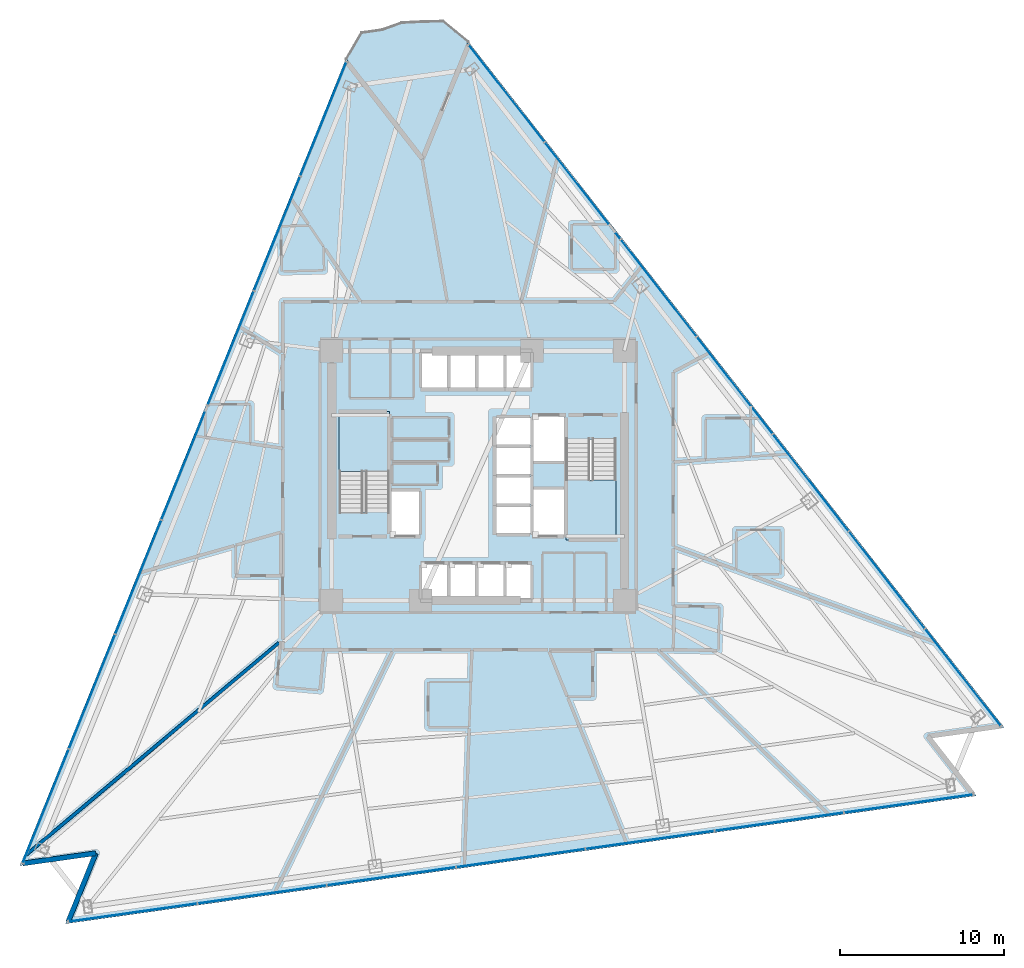
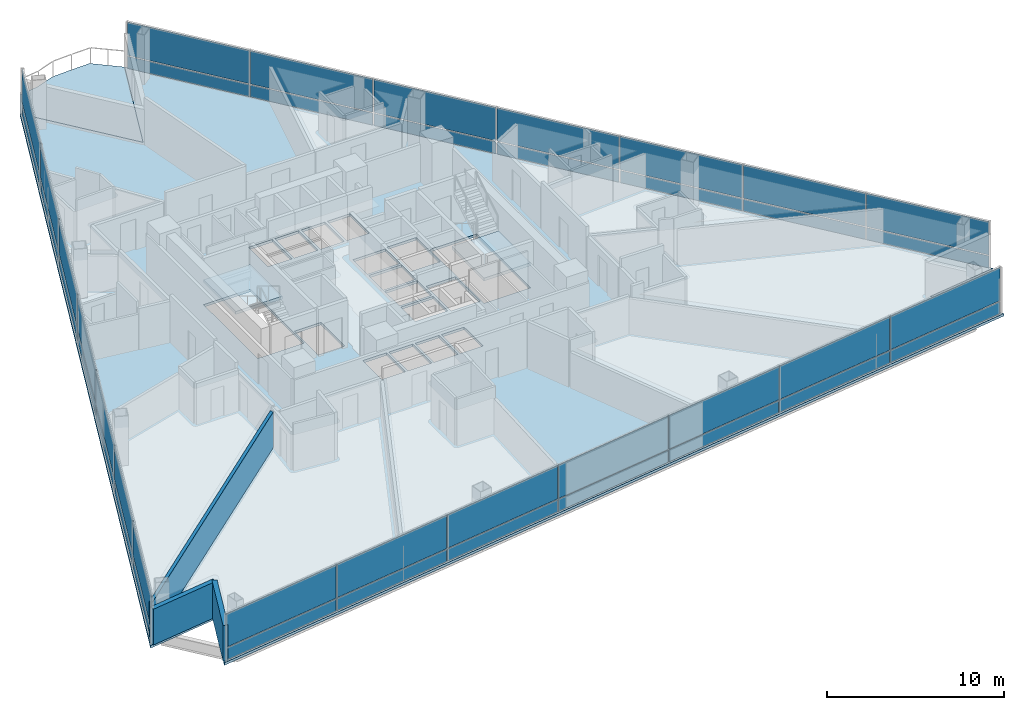
# One storey, part 6 of 16: 42 plates, 4 slabs, 3 walls, 5 elements without a shape of their own.
"""IFC4 building model written with IfcOpenShell, lengths in metres."""

from ifc_helpers import new_model, si_unit, direction, frame, frame_2d, origin, origin_2d, place, context, subcontext, project, spatial, polyline, rectangle, outline, extrude, material, layer, layer_set, type_object, element, aggregate, save


model = new_model("IFC4")

# Units and contexts
model_context = context("Model", 3, precision=1e-05, world=origin(), true_north=direction((0.0, 1.0)))
body_context = subcontext(model_context, "Body", "Model", "MODEL_VIEW")
ifc_project = project(units=[si_unit("LENGTHUNIT", "METRE"), si_unit("AREAUNIT", "SQUARE_METRE"), si_unit("VOLUMEUNIT", "CUBIC_METRE"), si_unit("PLANEANGLEUNIT", "RADIAN"), si_unit("MASSUNIT", "GRAM", prefix="KILO")], contexts=[model_context])

# Site, building, storey
site_placement = place(None, origin())
site = spatial("IfcSite", under=ifc_project, at=site_placement, CompositionType="ELEMENT")
building_placement = place(site_placement, origin())
building = spatial("IfcBuilding", under=site, at=building_placement, Name="Tharavind Bronze Gate", CompositionType="ELEMENT")
storey_placement = place(building_placement, frame((0.0, 0.0, 70.75)))
storey = spatial("IfcBuildingStorey", under=building, at=storey_placement, Name="L17", CompositionType="ELEMENT", Elevation=70.75)

# Curtain wall, plates
ifc_material_1 = material(Name="Anodised Bronze Aluminium", Category="aluminium")
ifc_layer_1 = layer(ifc_material_1, 0.219970703125)
ifc_layer_set_1 = layer_set([ifc_layer_1], Name="Anodised Bronze Aluminium")
curtain_wall_type = type_object("IfcCurtainWallType", Name="UNITISED CURTAIN WALL HOTEL", PredefinedType="USERDEFINED", material=ifc_layer_set_1)
curtain_wall_1_placement = place(storey_placement, origin())
curtain_wall_1 = element("IfcCurtainWall", 1, at=curtain_wall_1_placement, inside=storey, type_object=curtain_wall_type, Name="L17 unitised curtain wall hotel CW-L17-S1", ObjectType="UNITISED CURTAIN WALL", PredefinedType="USERDEFINED")
ifc_material_2 = material(Name="Patinated Bronze Alloy Sheet", Category="bronze")
ifc_layer_2 = layer(ifc_material_2, 0.01611328125)
ifc_layer_set_2 = layer_set([ifc_layer_2], Name="Patinated Bronze Alloy Sheet")
plate_type_1 = type_object("IfcPlateType", Name="BRONZE SPANDREL CLADDING PANEL 16", PredefinedType="CURTAIN_PANEL", material=ifc_layer_set_2)
plate_1_placement = place(storey_placement, frame((-9.408203125, 21.69921875, 0.033935546875), z_axis=(0.0, 0.0, 1.0), x_axis=(-0.374606593416, -0.927183854567, 0.0)))
plate_1 = element("IfcPlate", 2, at=plate_1_placement, type_object=plate_type_1, Name="CW-L17-S1 bronze spandrel panel 1", PredefinedType="CURTAIN_PANEL", context=body_context, shape_type="SweptSolid", body=[
    extrude(rectangle(XDim=7.447021484375, YDim=0.01611328125, at=origin_2d()), origin(), (0.0, 0.0, 1.0), 0.83203125),
])
plate_2_placement = place(storey_placement, frame((-12.223388671875, 14.731201171875, 0.033935546875), z_axis=(0.0, 0.0, 1.0), x_axis=(-0.374606593416, -0.927183854567, 0.0)))
plate_2 = element("IfcPlate", 3, at=plate_2_placement, type_object=plate_type_1, Name="CW-L17-S1 bronze spandrel panel 2", PredefinedType="CURTAIN_PANEL", context=body_context, shape_type="SweptSolid", body=[
    extrude(rectangle(XDim=7.447021484375, YDim=0.01611328125, at=origin_2d()), origin(), (0.0, 0.0, 1.0), 0.83203125),
])
plate_3_placement = place(storey_placement, frame((-15.038818359375, 7.763427734375, 0.033935546875), z_axis=(0.0, 0.0, 1.0), x_axis=(-0.374606593416, -0.927183854567, 0.0)))
plate_3 = element("IfcPlate", 4, at=plate_3_placement, type_object=plate_type_1, Name="CW-L17-S1 bronze spandrel panel 3", PredefinedType="CURTAIN_PANEL", context=body_context, shape_type="SweptSolid", body=[
    extrude(rectangle(XDim=7.447021484375, YDim=0.01611328125, at=origin_2d()), origin(), (0.0, 0.0, 1.0), 0.83203125),
])
plate_4_placement = place(storey_placement, frame((-17.85400390625, 0.795654296875, 0.033935546875), z_axis=(0.0, 0.0, 1.0), x_axis=(-0.374606593416, -0.927183854567, 0.0)))
plate_4 = element("IfcPlate", 5, at=plate_4_placement, type_object=plate_type_1, Name="CW-L17-S1 bronze spandrel panel 4", PredefinedType="CURTAIN_PANEL", context=body_context, shape_type="SweptSolid", body=[
    extrude(rectangle(XDim=7.447021484375, YDim=0.01611328125, at=origin_2d()), origin(), (0.0, 0.0, 1.0), 0.83203125),
])
plate_5_placement = place(storey_placement, frame((-20.669189453125, -6.17236328125, 0.033935546875), z_axis=(0.0, 0.0, 1.0), x_axis=(-0.374606593416, -0.927183854567, 0.0)))
plate_5 = element("IfcPlate", 6, at=plate_5_placement, type_object=plate_type_1, Name="CW-L17-S1 bronze spandrel panel 5", PredefinedType="CURTAIN_PANEL", context=body_context, shape_type="SweptSolid", body=[
    extrude(rectangle(XDim=7.447021484375, YDim=0.01611328125, at=origin_2d()), origin(), (0.0, 0.0, 1.0), 0.83203125),
])
plate_6_placement = place(storey_placement, frame((-23.484375, -13.14013671875, 0.033935546875), z_axis=(0.0, 0.0, 1.0), x_axis=(-0.374606593416, -0.927183854567, 0.0)))
plate_6 = element("IfcPlate", 7, at=plate_6_placement, type_object=plate_type_1, Name="CW-L17-S1 bronze spandrel panel 6", PredefinedType="CURTAIN_PANEL", context=body_context, shape_type="SweptSolid", body=[
    extrude(rectangle(XDim=7.447021484375, YDim=0.01611328125, at=origin_2d()), origin(), (0.0, 0.0, 1.0), 0.83203125),
])
plate_7_placement = place(storey_placement, frame((-26.299560546875, -20.10791015625, 0.033935546875), z_axis=(0.0, 0.0, 1.0), x_axis=(-0.374606593416, -0.927183854567, 0.0)))
plate_7 = element("IfcPlate", 8, at=plate_7_placement, type_object=plate_type_1, Name="CW-L17-S1 bronze spandrel panel 7", PredefinedType="CURTAIN_PANEL", context=body_context, shape_type="SweptSolid", body=[
    extrude(rectangle(XDim=7.447021484375, YDim=0.01611328125, at=origin_2d()), origin(), (0.0, 0.0, 1.0), 0.83203125),
])

curtain_wall_2_placement = place(storey_placement, origin())
curtain_wall_2 = element("IfcCurtainWall", 9, at=curtain_wall_2_placement, inside=storey, type_object=curtain_wall_type, Name="L17 unitised curtain wall hotel CW-L17-S2", ObjectType="UNITISED CURTAIN WALL", PredefinedType="USERDEFINED")
plate_8_placement = place(storey_placement, frame((-21.00341796875, -26.585205078125, 0.033935546875), z_axis=(0.0, 0.0, 1.0), x_axis=(0.990268068742, 0.13917310096, 0.0)))
plate_8 = element("IfcPlate", 10, at=plate_8_placement, type_object=plate_type_1, Name="CW-L17-S2 bronze spandrel panel 1", PredefinedType="CURTAIN_PANEL", context=body_context, shape_type="SweptSolid", body=[
    extrude(rectangle(XDim=7.87548828125, YDim=0.01611328125, at=origin_2d()), origin(), (0.0, 0.0, 1.0), 0.83203125),
])
plate_9_placement = place(storey_placement, frame((-13.13720703125, -25.4794921875, 0.033935546875), z_axis=(0.0, 0.0, 1.0), x_axis=(0.990268068742, 0.13917310096, 0.0)))
plate_9 = element("IfcPlate", 11, at=plate_9_placement, type_object=plate_type_1, Name="CW-L17-S2 bronze spandrel panel 2", PredefinedType="CURTAIN_PANEL", context=body_context, shape_type="SweptSolid", body=[
    extrude(rectangle(XDim=7.87548828125, YDim=0.01611328125, at=origin_2d()), origin(), (0.0, 0.0, 1.0), 0.83203125),
])
plate_10_placement = place(storey_placement, frame((-5.270751953125, -24.3740234375, 0.033935546875), z_axis=(0.0, 0.0, 1.0), x_axis=(0.990268068742, 0.13917310096, 0.0)))
plate_10 = element("IfcPlate", 12, at=plate_10_placement, type_object=plate_type_1, Name="CW-L17-S2 bronze spandrel panel 3", PredefinedType="CURTAIN_PANEL", context=body_context, shape_type="SweptSolid", body=[
    extrude(rectangle(XDim=7.87548828125, YDim=0.01611328125, at=origin_2d()), origin(), (0.0, 0.0, 1.0), 0.83203125),
])
plate_11_placement = place(storey_placement, frame((2.595703125, -23.2685546875, 0.033935546875), z_axis=(0.0, 0.0, 1.0), x_axis=(0.990268068742, 0.13917310096, 0.0)))
plate_11 = element("IfcPlate", 13, at=plate_11_placement, type_object=plate_type_1, Name="CW-L17-S2 bronze spandrel panel 4", PredefinedType="CURTAIN_PANEL", context=body_context, shape_type="SweptSolid", body=[
    extrude(rectangle(XDim=7.87548828125, YDim=0.01611328125, at=origin_2d()), origin(), (0.0, 0.0, 1.0), 0.83203125),
])
plate_12_placement = place(storey_placement, frame((10.4619140625, -22.1630859375, 0.033935546875), z_axis=(0.0, 0.0, 1.0), x_axis=(0.990268068742, 0.13917310096, 0.0)))
plate_12 = element("IfcPlate", 14, at=plate_12_placement, type_object=plate_type_1, Name="CW-L17-S2 bronze spandrel panel 5", PredefinedType="CURTAIN_PANEL", context=body_context, shape_type="SweptSolid", body=[
    extrude(rectangle(XDim=7.87548828125, YDim=0.01611328125, at=origin_2d()), origin(), (0.0, 0.0, 1.0), 0.83203125),
])
plate_13_placement = place(storey_placement, frame((18.328369140625, -21.057373046875, 0.033935546875), z_axis=(0.0, 0.0, 1.0), x_axis=(0.990268068742, 0.13917310096, 0.0)))
plate_13 = element("IfcPlate", 15, at=plate_13_placement, type_object=plate_type_1, Name="CW-L17-S2 bronze spandrel panel 6", PredefinedType="CURTAIN_PANEL", context=body_context, shape_type="SweptSolid", body=[
    extrude(rectangle(XDim=7.87548828125, YDim=0.01611328125, at=origin_2d()), origin(), (0.0, 0.0, 1.0), 0.83203125),
])
plate_14_placement = place(storey_placement, frame((26.194580078125, -19.951904296875, 0.033935546875), z_axis=(0.0, 0.0, 1.0), x_axis=(0.990268068742, 0.13917310096, 0.0)))
plate_14 = element("IfcPlate", 16, at=plate_14_placement, type_object=plate_type_1, Name="CW-L17-S2 bronze spandrel panel 7", PredefinedType="CURTAIN_PANEL", context=body_context, shape_type="SweptSolid", body=[
    extrude(rectangle(XDim=7.87548828125, YDim=0.01611328125, at=origin_2d()), origin(), (0.0, 0.0, 1.0), 0.83203125),
])

curtain_wall_3_placement = place(storey_placement, origin())
curtain_wall_3 = element("IfcCurtainWall", 17, at=curtain_wall_3_placement, inside=storey, type_object=curtain_wall_type, Name="L17 unitised curtain wall hotel CW-L17-S3", ObjectType="UNITISED CURTAIN WALL", PredefinedType="USERDEFINED")
plate_15_placement = place(storey_placement, frame((29.5, -12.265869140625, 0.033935546875), z_axis=(0.0, 0.0, 1.0), x_axis=(-0.615661475326, 0.788010753607, 0.0)))
plate_15 = element("IfcPlate", 18, at=plate_15_placement, type_object=plate_type_1, Name="CW-L17-S3 bronze spandrel panel 1", PredefinedType="CURTAIN_PANEL", context=body_context, shape_type="SweptSolid", body=[
    extrude(rectangle(XDim=7.447021484375, YDim=0.01611328125, at=origin_2d()), origin(), (0.0, 0.0, 1.0), 0.83203125),
])
plate_16_placement = place(storey_placement, frame((24.873291015625, -6.343994140625, 0.033935546875), z_axis=(0.0, 0.0, 1.0), x_axis=(-0.615661475326, 0.788010753607, 0.0)))
plate_16 = element("IfcPlate", 19, at=plate_16_placement, type_object=plate_type_1, Name="CW-L17-S3 bronze spandrel panel 2", PredefinedType="CURTAIN_PANEL", context=body_context, shape_type="SweptSolid", body=[
    extrude(rectangle(XDim=7.447021484375, YDim=0.01611328125, at=origin_2d()), origin(), (0.0, 0.0, 1.0), 0.83203125),
])
plate_17_placement = place(storey_placement, frame((20.24658203125, -0.421875, 0.033935546875), z_axis=(0.0, 0.0, 1.0), x_axis=(-0.615661475326, 0.788010753607, 0.0)))
plate_17 = element("IfcPlate", 20, at=plate_17_placement, type_object=plate_type_1, Name="CW-L17-S3 bronze spandrel panel 3", PredefinedType="CURTAIN_PANEL", context=body_context, shape_type="SweptSolid", body=[
    extrude(rectangle(XDim=7.447021484375, YDim=0.01611328125, at=origin_2d()), origin(), (0.0, 0.0, 1.0), 0.83203125),
])
plate_18_placement = place(storey_placement, frame((15.619873046875, 5.5, 0.033935546875), z_axis=(0.0, 0.0, 1.0), x_axis=(-0.615661475326, 0.788010753607, 0.0)))
plate_18 = element("IfcPlate", 21, at=plate_18_placement, type_object=plate_type_1, Name="CW-L17-S3 bronze spandrel panel 4", PredefinedType="CURTAIN_PANEL", context=body_context, shape_type="SweptSolid", body=[
    extrude(rectangle(XDim=7.447021484375, YDim=0.01611328125, at=origin_2d()), origin(), (0.0, 0.0, 1.0), 0.83203125),
])
plate_19_placement = place(storey_placement, frame((10.9931640625, 11.422119140625, 0.033935546875), z_axis=(0.0, 0.0, 1.0), x_axis=(-0.615661475326, 0.788010753607, 0.0)))
plate_19 = element("IfcPlate", 22, at=plate_19_placement, type_object=plate_type_1, Name="CW-L17-S3 bronze spandrel panel 5", PredefinedType="CURTAIN_PANEL", context=body_context, shape_type="SweptSolid", body=[
    extrude(rectangle(XDim=7.447021484375, YDim=0.01611328125, at=origin_2d()), origin(), (0.0, 0.0, 1.0), 0.83203125),
])
plate_20_placement = place(storey_placement, frame((6.366455078125, 17.343994140625, 0.033935546875), z_axis=(0.0, 0.0, 1.0), x_axis=(-0.615661475326, 0.788010753607, 0.0)))
plate_20 = element("IfcPlate", 23, at=plate_20_placement, type_object=plate_type_1, Name="CW-L17-S3 bronze spandrel panel 6", PredefinedType="CURTAIN_PANEL", context=body_context, shape_type="SweptSolid", body=[
    extrude(rectangle(XDim=7.447021484375, YDim=0.01611328125, at=origin_2d()), origin(), (0.0, 0.0, 1.0), 0.83203125),
])
plate_21_placement = place(storey_placement, frame((1.73974609375, 23.265869140625, 0.033935546875), z_axis=(0.0, 0.0, 1.0), x_axis=(-0.615661475326, 0.788010753607, 0.0)))
plate_21 = element("IfcPlate", 24, at=plate_21_placement, type_object=plate_type_1, Name="CW-L17-S3 bronze spandrel panel 7", PredefinedType="CURTAIN_PANEL", context=body_context, shape_type="SweptSolid", body=[
    extrude(rectangle(XDim=7.447021484375, YDim=0.01611328125, at=origin_2d()), origin(), (0.0, 0.0, 1.0), 0.83203125),
])

# Plate
ifc_material_3 = material(Name="Low-E Double Glazing", Category="glass")
ifc_layer_3 = layer(ifc_material_3, 0.031982421875)
ifc_layer_set_3 = layer_set([ifc_layer_3], Name="Low-E Double Glazing")
plate_type_2 = type_object("IfcPlateType", Name="DOUBLE GLAZED FACADE PANEL 32", PredefinedType="CURTAIN_PANEL", material=ifc_layer_set_3)
plate_22_placement = place(storey_placement, frame((-9.408203125, 21.69921875, 0.93408203125), z_axis=(0.0, 0.0, 1.0), x_axis=(-0.374606593416, -0.927183854567, 0.0)))
plate_22 = element("IfcPlate", 25, at=plate_22_placement, type_object=plate_type_2, Name="CW-L17-S1 vision glazing panel 1", PredefinedType="CURTAIN_PANEL", context=body_context, shape_type="SweptSolid", body=[
    extrude(rectangle(XDim=7.447021484375, YDim=0.031982421875, at=origin_2d()), origin(), (0.0, 0.0, 1.0), 2.306884765625),
])

plate_23_placement = place(storey_placement, frame((-12.223388671875, 14.731201171875, 0.93408203125), z_axis=(0.0, 0.0, 1.0), x_axis=(-0.374606593416, -0.927183854567, 0.0)))
plate_23 = element("IfcPlate", 26, at=plate_23_placement, type_object=plate_type_2, Name="CW-L17-S1 vision glazing panel 2", PredefinedType="CURTAIN_PANEL", context=body_context, shape_type="SweptSolid", body=[
    extrude(rectangle(XDim=7.447021484375, YDim=0.031982421875, at=origin_2d()), origin(), (0.0, 0.0, 1.0), 2.306884765625),
])

plate_24_placement = place(storey_placement, frame((-15.038818359375, 7.763427734375, 0.93408203125), z_axis=(0.0, 0.0, 1.0), x_axis=(-0.374606593416, -0.927183854567, 0.0)))
plate_24 = element("IfcPlate", 27, at=plate_24_placement, type_object=plate_type_2, Name="CW-L17-S1 vision glazing panel 3", PredefinedType="CURTAIN_PANEL", context=body_context, shape_type="SweptSolid", body=[
    extrude(rectangle(XDim=7.447021484375, YDim=0.031982421875, at=origin_2d()), origin(), (0.0, 0.0, 1.0), 2.306884765625),
])

plate_25_placement = place(storey_placement, frame((-17.85400390625, 0.795654296875, 0.93408203125), z_axis=(0.0, 0.0, 1.0), x_axis=(-0.374606593416, -0.927183854567, 0.0)))
plate_25 = element("IfcPlate", 28, at=plate_25_placement, type_object=plate_type_2, Name="CW-L17-S1 vision glazing panel 4", PredefinedType="CURTAIN_PANEL", context=body_context, shape_type="SweptSolid", body=[
    extrude(rectangle(XDim=7.447021484375, YDim=0.031982421875, at=origin_2d()), origin(), (0.0, 0.0, 1.0), 2.306884765625),
])

plate_26_placement = place(storey_placement, frame((-20.669189453125, -6.17236328125, 0.93408203125), z_axis=(0.0, 0.0, 1.0), x_axis=(-0.374606593416, -0.927183854567, 0.0)))
plate_26 = element("IfcPlate", 29, at=plate_26_placement, type_object=plate_type_2, Name="CW-L17-S1 vision glazing panel 5", PredefinedType="CURTAIN_PANEL", context=body_context, shape_type="SweptSolid", body=[
    extrude(rectangle(XDim=7.447021484375, YDim=0.031982421875, at=origin_2d()), origin(), (0.0, 0.0, 1.0), 2.306884765625),
])

plate_27_placement = place(storey_placement, frame((-23.484375, -13.14013671875, 0.93408203125), z_axis=(0.0, 0.0, 1.0), x_axis=(-0.374606593416, -0.927183854567, 0.0)))
plate_27 = element("IfcPlate", 30, at=plate_27_placement, type_object=plate_type_2, Name="CW-L17-S1 vision glazing panel 6", PredefinedType="CURTAIN_PANEL", context=body_context, shape_type="SweptSolid", body=[
    extrude(rectangle(XDim=7.447021484375, YDim=0.031982421875, at=origin_2d()), origin(), (0.0, 0.0, 1.0), 2.306884765625),
])

plate_28_placement = place(storey_placement, frame((-26.299560546875, -20.10791015625, 0.93408203125), z_axis=(0.0, 0.0, 1.0), x_axis=(-0.374606593416, -0.927183854567, 0.0)))
plate_28 = element("IfcPlate", 31, at=plate_28_placement, type_object=plate_type_2, Name="CW-L17-S1 vision glazing panel 7", PredefinedType="CURTAIN_PANEL", context=body_context, shape_type="SweptSolid", body=[
    extrude(rectangle(XDim=7.447021484375, YDim=0.031982421875, at=origin_2d()), origin(), (0.0, 0.0, 1.0), 2.306884765625),
])

aggregate(curtain_wall_1, [plate_1, plate_22, plate_2, plate_23, plate_3, plate_24, plate_4, plate_25, plate_5, plate_26, plate_6, plate_27, plate_7, plate_28])

plate_29_placement = place(storey_placement, frame((-21.00341796875, -26.585205078125, 0.93408203125), z_axis=(0.0, 0.0, 1.0), x_axis=(0.990268068742, 0.13917310096, 0.0)))
plate_29 = element("IfcPlate", 32, at=plate_29_placement, type_object=plate_type_2, Name="CW-L17-S2 vision glazing panel 1", PredefinedType="CURTAIN_PANEL", context=body_context, shape_type="SweptSolid", body=[
    extrude(rectangle(XDim=7.87548828125, YDim=0.031982421875, at=origin_2d()), origin(), (0.0, 0.0, 1.0), 2.306884765625),
])

plate_30_placement = place(storey_placement, frame((-13.13720703125, -25.4794921875, 0.93408203125), z_axis=(0.0, 0.0, 1.0), x_axis=(0.990268068742, 0.13917310096, 0.0)))
plate_30 = element("IfcPlate", 33, at=plate_30_placement, type_object=plate_type_2, Name="CW-L17-S2 vision glazing panel 2", PredefinedType="CURTAIN_PANEL", context=body_context, shape_type="SweptSolid", body=[
    extrude(rectangle(XDim=7.87548828125, YDim=0.031982421875, at=origin_2d()), origin(), (0.0, 0.0, 1.0), 2.306884765625),
])

plate_31_placement = place(storey_placement, frame((-5.270751953125, -24.3740234375, 0.93408203125), z_axis=(0.0, 0.0, 1.0), x_axis=(0.990268068742, 0.13917310096, 0.0)))
plate_31 = element("IfcPlate", 34, at=plate_31_placement, type_object=plate_type_2, Name="CW-L17-S2 vision glazing panel 3", PredefinedType="CURTAIN_PANEL", context=body_context, shape_type="SweptSolid", body=[
    extrude(rectangle(XDim=7.87548828125, YDim=0.031982421875, at=origin_2d()), origin(), (0.0, 0.0, 1.0), 2.306884765625),
])

plate_32_placement = place(storey_placement, frame((2.595703125, -23.2685546875, 0.93408203125), z_axis=(0.0, 0.0, 1.0), x_axis=(0.990268068742, 0.13917310096, 0.0)))
plate_32 = element("IfcPlate", 35, at=plate_32_placement, type_object=plate_type_2, Name="CW-L17-S2 vision glazing panel 4", PredefinedType="CURTAIN_PANEL", context=body_context, shape_type="SweptSolid", body=[
    extrude(rectangle(XDim=7.87548828125, YDim=0.031982421875, at=origin_2d()), origin(), (0.0, 0.0, 1.0), 2.306884765625),
])

plate_33_placement = place(storey_placement, frame((10.4619140625, -22.1630859375, 0.93408203125), z_axis=(0.0, 0.0, 1.0), x_axis=(0.990268068742, 0.13917310096, 0.0)))
plate_33 = element("IfcPlate", 36, at=plate_33_placement, type_object=plate_type_2, Name="CW-L17-S2 vision glazing panel 5", PredefinedType="CURTAIN_PANEL", context=body_context, shape_type="SweptSolid", body=[
    extrude(rectangle(XDim=7.87548828125, YDim=0.031982421875, at=origin_2d()), origin(), (0.0, 0.0, 1.0), 2.306884765625),
])

plate_34_placement = place(storey_placement, frame((18.328369140625, -21.057373046875, 0.93408203125), z_axis=(0.0, 0.0, 1.0), x_axis=(0.990268068742, 0.13917310096, 0.0)))
plate_34 = element("IfcPlate", 37, at=plate_34_placement, type_object=plate_type_2, Name="CW-L17-S2 vision glazing panel 6", PredefinedType="CURTAIN_PANEL", context=body_context, shape_type="SweptSolid", body=[
    extrude(rectangle(XDim=7.87548828125, YDim=0.031982421875, at=origin_2d()), origin(), (0.0, 0.0, 1.0), 2.306884765625),
])

plate_35_placement = place(storey_placement, frame((26.194580078125, -19.951904296875, 0.93408203125), z_axis=(0.0, 0.0, 1.0), x_axis=(0.990268068742, 0.13917310096, 0.0)))
plate_35 = element("IfcPlate", 38, at=plate_35_placement, type_object=plate_type_2, Name="CW-L17-S2 vision glazing panel 7", PredefinedType="CURTAIN_PANEL", context=body_context, shape_type="SweptSolid", body=[
    extrude(rectangle(XDim=7.87548828125, YDim=0.031982421875, at=origin_2d()), origin(), (0.0, 0.0, 1.0), 2.306884765625),
])

aggregate(curtain_wall_2, [plate_8, plate_29, plate_9, plate_30, plate_10, plate_31, plate_11, plate_32, plate_12, plate_33, plate_13, plate_34, plate_14, plate_35])

plate_36_placement = place(storey_placement, frame((29.5, -12.265869140625, 0.93408203125), z_axis=(0.0, 0.0, 1.0), x_axis=(-0.615661475326, 0.788010753607, 0.0)))
plate_36 = element("IfcPlate", 39, at=plate_36_placement, type_object=plate_type_2, Name="CW-L17-S3 vision glazing panel 1", PredefinedType="CURTAIN_PANEL", context=body_context, shape_type="SweptSolid", body=[
    extrude(rectangle(XDim=7.447021484375, YDim=0.031982421875, at=origin_2d()), origin(), (0.0, 0.0, 1.0), 2.306884765625),
])

plate_37_placement = place(storey_placement, frame((24.873291015625, -6.343994140625, 0.93408203125), z_axis=(0.0, 0.0, 1.0), x_axis=(-0.615661475326, 0.788010753607, 0.0)))
plate_37 = element("IfcPlate", 40, at=plate_37_placement, type_object=plate_type_2, Name="CW-L17-S3 vision glazing panel 2", PredefinedType="CURTAIN_PANEL", context=body_context, shape_type="SweptSolid", body=[
    extrude(rectangle(XDim=7.447021484375, YDim=0.031982421875, at=origin_2d()), origin(), (0.0, 0.0, 1.0), 2.306884765625),
])

plate_38_placement = place(storey_placement, frame((20.24658203125, -0.421875, 0.93408203125), z_axis=(0.0, 0.0, 1.0), x_axis=(-0.615661475326, 0.788010753607, 0.0)))
plate_38 = element("IfcPlate", 41, at=plate_38_placement, type_object=plate_type_2, Name="CW-L17-S3 vision glazing panel 3", PredefinedType="CURTAIN_PANEL", context=body_context, shape_type="SweptSolid", body=[
    extrude(rectangle(XDim=7.447021484375, YDim=0.031982421875, at=origin_2d()), origin(), (0.0, 0.0, 1.0), 2.306884765625),
])

plate_39_placement = place(storey_placement, frame((15.619873046875, 5.5, 0.93408203125), z_axis=(0.0, 0.0, 1.0), x_axis=(-0.615661475326, 0.788010753607, 0.0)))
plate_39 = element("IfcPlate", 42, at=plate_39_placement, type_object=plate_type_2, Name="CW-L17-S3 vision glazing panel 4", PredefinedType="CURTAIN_PANEL", context=body_context, shape_type="SweptSolid", body=[
    extrude(rectangle(XDim=7.447021484375, YDim=0.031982421875, at=origin_2d()), origin(), (0.0, 0.0, 1.0), 2.306884765625),
])

plate_40_placement = place(storey_placement, frame((10.9931640625, 11.422119140625, 0.93408203125), z_axis=(0.0, 0.0, 1.0), x_axis=(-0.615661475326, 0.788010753607, 0.0)))
plate_40 = element("IfcPlate", 43, at=plate_40_placement, type_object=plate_type_2, Name="CW-L17-S3 vision glazing panel 5", PredefinedType="CURTAIN_PANEL", context=body_context, shape_type="SweptSolid", body=[
    extrude(rectangle(XDim=7.447021484375, YDim=0.031982421875, at=origin_2d()), origin(), (0.0, 0.0, 1.0), 2.306884765625),
])

plate_41_placement = place(storey_placement, frame((6.366455078125, 17.343994140625, 0.93408203125), z_axis=(0.0, 0.0, 1.0), x_axis=(-0.615661475326, 0.788010753607, 0.0)))
plate_41 = element("IfcPlate", 44, at=plate_41_placement, type_object=plate_type_2, Name="CW-L17-S3 vision glazing panel 6", PredefinedType="CURTAIN_PANEL", context=body_context, shape_type="SweptSolid", body=[
    extrude(rectangle(XDim=7.447021484375, YDim=0.031982421875, at=origin_2d()), origin(), (0.0, 0.0, 1.0), 2.306884765625),
])

plate_42_placement = place(storey_placement, frame((1.73974609375, 23.265869140625, 0.93408203125), z_axis=(0.0, 0.0, 1.0), x_axis=(-0.615661475326, 0.788010753607, 0.0)))
plate_42 = element("IfcPlate", 45, at=plate_42_placement, type_object=plate_type_2, Name="CW-L17-S3 vision glazing panel 7", PredefinedType="CURTAIN_PANEL", context=body_context, shape_type="SweptSolid", body=[
    extrude(rectangle(XDim=7.447021484375, YDim=0.031982421875, at=origin_2d()), origin(), (0.0, 0.0, 1.0), 2.306884765625),
])

aggregate(curtain_wall_3, [plate_15, plate_36, plate_16, plate_37, plate_17, plate_38, plate_18, plate_39, plate_19, plate_40, plate_20, plate_41, plate_21, plate_42])

# Slab
ifc_material_4 = material(Name="Concrete C40/50", Category="concrete")
ifc_layer_4 = layer(ifc_material_4, 0.175048828125)
ifc_layer_set_4 = layer_set([ifc_layer_4], Name="Concrete C40/50")
slab_type_1 = type_object("IfcSlabType", Name="EXTERIOR BALCONY SLAB 175", PredefinedType="FLOOR", material=ifc_layer_set_4)
slab_1_placement = place(storey_placement, frame((0.0, 0.0, -0.175048828125)))
element("IfcSlab", 46, at=slab_1_placement, inside=storey, type_object=slab_type_1, Name="L17 northeast tree balcony slab", PredefinedType="FLOOR", context=body_context, shape_type="SweptSolid", body=[
    extrude(outline(polyline([(-2.13671875, 27.72412109375), (-3.39501953125, 27.6962890625), (-4.648681640625, 27.6337890625), (-5.85009765625, 27.2021484375), (-7.088134765625, 27.028076171875), (-8.028564453125, 25.381103515625), (-3.4111328125, 19.47119140625), (-0.6015625, 26.425048828125), (-2.13671875, 27.72412109375)])), origin(), (0.0, 0.0, 1.0), 0.175048828125),
])

# Stair, slab
stair_type = type_object("IfcStairType", Name="CORE HALF TURN STAIR 1450", PredefinedType="HALF_TURN_STAIR", material=ifc_material_4)
stair_1_placement = place(storey_placement, origin())
stair_1 = element("IfcStair", 47, at=stair_1_placement, inside=storey, type_object=stair_type, Name="L17 Protected Exit Stair ST1", PredefinedType="HALF_TURN_STAIR")
ifc_layer_5 = layer(ifc_material_4, 0.199951171875)
ifc_layer_set_5 = layer_set([ifc_layer_5], Name="Concrete C40/50")
slab_type_2 = type_object("IfcSlabType", Name="STAIR LANDING SLAB 200", PredefinedType="LANDING", material=ifc_layer_set_5)
slab_2_placement = place(storey_placement, frame((0.0, 0.0, 1.52490234375)))
slab_2 = element("IfcSlab", 48, at=slab_2_placement, type_object=slab_type_2, Name="ST1 landing 1", PredefinedType="LANDING", context=body_context, shape_type="SweptSolid", body=[
    extrude(outline(polyline([(-5.39990234375, 0.27001953125), (-5.39990234375, 3.89990234375), (-8.449951171875, 3.89990234375), (-8.449951171875, 0.27001953125), (-5.39990234375, 0.27001953125)])), origin(), (0.0, 0.0, 1.0), 0.2001953125),
])
aggregate(stair_1, [slab_2])

stair_2_placement = place(storey_placement, origin())
stair_2 = element("IfcStair", 49, at=stair_2_placement, inside=storey, type_object=stair_type, Name="L17 Protected Exit Stair ST2", PredefinedType="HALF_TURN_STAIR")
slab_3_placement = place(storey_placement, frame((0.0, 0.0, 1.52490234375)))
slab_3 = element("IfcSlab", 50, at=slab_3_placement, type_object=slab_type_2, Name="ST2 landing 1", PredefinedType="LANDING", context=body_context, shape_type="SweptSolid", body=[
    extrude(outline(polyline([(5.35009765625, -0.27001953125), (5.35009765625, -3.89990234375), (8.39990234375, -3.89990234375), (8.39990234375, -0.27001953125), (5.35009765625, -0.27001953125)])), origin(), (0.0, 0.0, 1.0), 0.2001953125),
])
aggregate(stair_2, [slab_3])

# Slab
ifc_layer_6 = layer(ifc_material_4, 0.175048828125)
ifc_layer_set_6 = layer_set([ifc_layer_6], Name="Concrete C40/50")
slab_type_3 = type_object("IfcSlabType", Name="STRUCTURAL FLOOR SLAB 175", PredefinedType="FLOOR", material=ifc_layer_set_6)
slab_4_placement = place(storey_placement, frame((0.0, 0.0, -0.175048828125)))
element("IfcSlab", 51, at=slab_4_placement, inside=storey, type_object=slab_type_3, Name="L17 main structural floor slab", PredefinedType="FLOOR", context=body_context, shape_type="SweptSolid", body=[
    extrude(outline(polyline([(-0.6015625, 26.425048828125), (-3.4111328125, 19.47119140625), (-8.028564453125, 25.381103515625), (-27.86474609375, -23.715087890625), (-23.408447265625, -23.088623046875), (-25.09423828125, -27.260986328125), (30.313232421875, -19.47412109375), (27.542724609375, -15.927978515625), (31.998779296875, -15.3017578125), (-0.6015625, 26.425048828125)]), holes=[polyline([(-5.39990234375, -2.215087890625), (-5.39990234375, 3.89990234375), (-8.449951171875, 3.89990234375), (-8.449951171875, -2.215087890625), (-5.39990234375, -2.215087890625)]), polyline([(5.35009765625, 2.215087890625), (5.35009765625, -3.89990234375), (8.39990234375, -3.89990234375), (8.39990234375, 2.215087890625), (5.35009765625, 2.215087890625)]), polyline([(-3.419921875, -7.52001953125), (-1.867431640625, -7.52001953125), (-1.867431640625, -5.3798828125), (-3.419921875, -5.3798828125), (-3.419921875, -7.52001953125)]), polyline([(-1.70751953125, -7.52001953125), (-0.155029296875, -7.52001953125), (-0.155029296875, -5.3798828125), (-1.70751953125, -5.3798828125), (-1.70751953125, -7.52001953125)]), polyline([(0.0048828125, -7.52001953125), (1.5576171875, -7.52001953125), (1.5576171875, -5.3798828125), (0.0048828125, -5.3798828125), (0.0048828125, -7.52001953125)]), polyline([(1.717529296875, -7.52001953125), (3.199951171875, -7.52001953125), (3.199951171875, -5.3798828125), (1.717529296875, -5.3798828125), (1.717529296875, -7.52001953125)]), polyline([(-3.419921875, 5.330078125), (-1.867431640625, 5.330078125), (-1.867431640625, 7.52001953125), (-3.419921875, 7.52001953125), (-3.419921875, 5.330078125)]), polyline([(-1.70751953125, 5.330078125), (-0.155029296875, 5.330078125), (-0.155029296875, 7.52001953125), (-1.70751953125, 7.52001953125), (-1.70751953125, 5.330078125)]), polyline([(0.0048828125, 5.330078125), (1.5576171875, 5.330078125), (1.5576171875, 7.52001953125), (0.0048828125, 7.52001953125), (0.0048828125, 5.330078125)]), polyline([(1.717529296875, 5.330078125), (3.199951171875, 5.330078125), (3.199951171875, 7.52001953125), (1.717529296875, 7.52001953125), (1.717529296875, 5.330078125)]), polyline([(1.080078125, -3.52001953125), (3.199951171875, -3.52001953125), (3.199951171875, -1.8798828125), (1.080078125, -1.8798828125), (1.080078125, -3.52001953125)]), polyline([(1.080078125, -1.719970703125), (3.199951171875, -1.719970703125), (3.199951171875, -0.080078125), (1.080078125, -0.080078125), (1.080078125, -1.719970703125)]), polyline([(1.080078125, 0.080078125), (3.199951171875, 0.080078125), (3.199951171875, 1.719970703125), (1.080078125, 1.719970703125), (1.080078125, 0.080078125)]), polyline([(1.080078125, 1.8798828125), (3.199951171875, 1.8798828125), (3.199951171875, 3.52001953125), (1.080078125, 3.52001953125), (1.080078125, 1.8798828125)]), polyline([(-5.320068359375, -3.6201171875), (-3.580078125, -3.6201171875), (-3.580078125, -0.929931640625), (-5.320068359375, -0.929931640625), (-5.320068359375, -3.6201171875)]), polyline([(3.360107421875, 0.8798828125), (5.27001953125, 0.8798828125), (5.27001953125, 3.6201171875), (3.360107421875, 3.6201171875), (3.360107421875, 0.8798828125)]), polyline([(3.360107421875, -3.6201171875), (5.27001953125, -3.6201171875), (5.27001953125, -0.830078125), (3.360107421875, -0.830078125), (3.360107421875, -3.6201171875)])]), origin(), (0.0, 0.0, 1.0), 0.175048828125),
])

# Walls
ifc_layer_7 = layer(ifc_material_4, 0.300048828125)
ifc_layer_set_7 = layer_set([ifc_layer_7], Name="Concrete C40/50")
wall_type_1 = type_object("IfcWallType", Name="EXTERIOR SPANDREL WALL 300", PredefinedType="STANDARD", material=ifc_layer_set_7)
wall_1_placement = place(storey_placement, frame((-27.70703125, -23.591796875, 0.0), z_axis=(0.0, 0.0, 1.0), x_axis=(0.990269200152, 0.139165050317, 0.0)))
element("IfcWall", 52, at=wall_1_placement, inside=storey, type_object=wall_type_1, Name="L17 notch cheek wall 2A", PredefinedType="STANDARD", context=body_context, shape_type="SweptSolid", body=[
    extrude(rectangle(XDim=4.499755859375, YDim=0.300048828125, at=frame_2d((2.25, 0.0))), origin(), (0.0, 0.0, 1.0), 2.469970703125),
])
wall_2_placement = place(storey_placement, frame((-23.2509765625, -22.965576171875, 0.0), z_axis=(0.0, 0.0, 1.0), x_axis=(-0.374568898324, -0.927199083481, 0.0)))
element("IfcWall", 53, at=wall_2_placement, inside=storey, type_object=wall_type_1, Name="L17 notch cheek wall 2B", PredefinedType="STANDARD", context=body_context, shape_type="SweptSolid", body=[
    extrude(rectangle(XDim=4.5, YDim=0.300048828125, at=frame_2d((2.25, 0.0))), origin(), (0.0, 0.0, 1.0), 2.469970703125),
])
ifc_material_5 = material(Name="Aerated Concrete Block", Category="concrete")
ifc_layer_8 = layer(ifc_material_5, 0.199951171875)
ifc_layer_set_8 = layer_set([ifc_layer_8], Name="Aerated Concrete Block")
wall_type_2 = type_object("IfcWallType", Name="FIRE RATED PARTITION 200", PredefinedType="PARTITIONING", material=ifc_layer_set_8)
wall_3_placement = place(storey_placement, frame((-12.114501953125, -10.165283203125, 0.0), z_axis=(0.0, 0.0, 1.0), x_axis=(-0.766043417398, -0.642788832091, 0.0)))
element("IfcWall", 54, at=wall_3_placement, inside=storey, type_object=wall_type_2, Name="L17 Deluxe Hotel Suite partition", PredefinedType="PARTITIONING", context=body_context, shape_type="SweptSolid", body=[
    extrude(rectangle(XDim=20.081298828125, YDim=0.199951171875, at=frame_2d((10.04052734375, 0.0))), origin(), (0.0, 0.0, 1.0), 2.469970703125),
])

save(model, "model.ifc")
